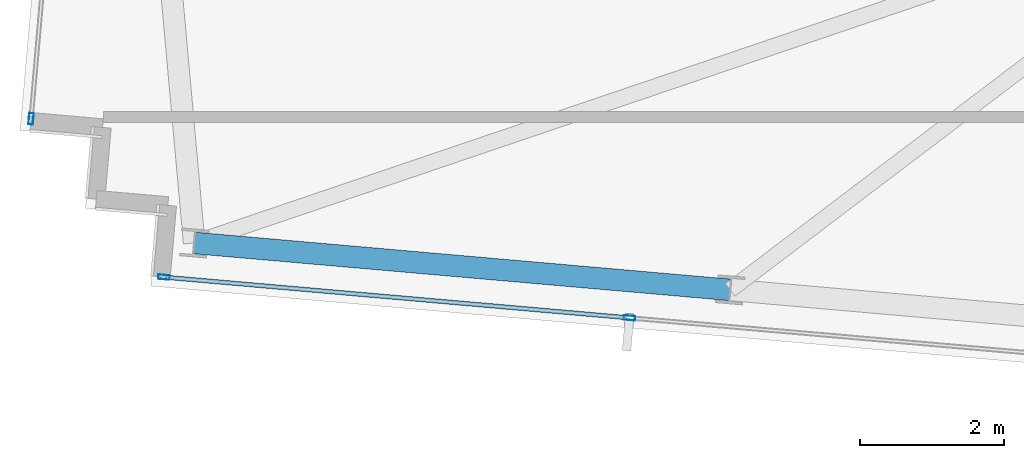
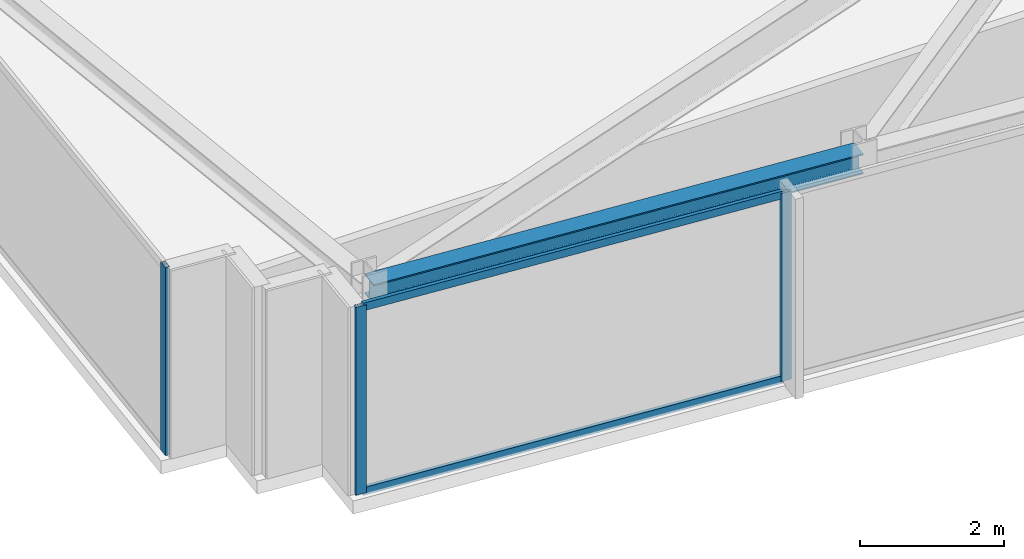
# One storey, part 2 of 32: 5 members, 1 beam, 2 elements without a shape of their own.
"""IFC4 building model written with IfcOpenShell, lengths in metres."""

from ifc_helpers import new_model, si_unit, direction, frame, origin, origin_2d, place, context, subcontext, project, spatial, hollow_rectangle, i_section, extrude, material, material_profile, profile_set, type_object, element, aggregate, save


model = new_model("IFC4")

# Units and contexts
model_context = context("Model", 3, precision=1e-05, world=origin(), true_north=direction((0.0, 1.0)))
body_context = subcontext(model_context, "Body", "Model", "MODEL_VIEW")
ifc_project = project(units=[si_unit("LENGTHUNIT", "METRE"), si_unit("AREAUNIT", "SQUARE_METRE"), si_unit("VOLUMEUNIT", "CUBIC_METRE"), si_unit("PLANEANGLEUNIT", "RADIAN"), si_unit("MASSUNIT", "GRAM", prefix="KILO")], contexts=[model_context])

# Site, building, storey
site_placement = place(None, origin())
site = spatial("IfcSite", under=ifc_project, at=site_placement, CompositionType="ELEMENT")
building_placement = place(site_placement, origin())
building = spatial("IfcBuilding", under=site, at=building_placement, Name="Yelkora Congress Tower", CompositionType="ELEMENT")
storey_placement = place(building_placement, frame((0.0, 0.0, 276.10009765625)))
storey = spatial("IfcBuildingStorey", under=building, at=storey_placement, Name="L77", CompositionType="ELEMENT", Elevation=276.10009765625)

# Beam
ifc_material_1 = material(Name="Steel S355J2", Category="steel")
ifc_material_profile_1 = material_profile(ifc_material_1, i_section(OverallWidth=0.300048828125, OverallDepth=0.340087890625, WebThickness=0.011962890625, FlangeThickness=0.021484375, FilletRadius=0.027099609375, at=origin_2d()), Name="HEB 340")
ifc_profile_set_1 = profile_set([ifc_material_profile_1], Name="Steel S355J2")
beam_type = type_object("IfcBeamType", Name="BM-SPAN-HEB340", PredefinedType="SPANDREL", material=ifc_profile_set_1)
beam_placement = place(storey_placement, frame((7.998046875, 20.097900390625, 3.010009765625), z_axis=(0.996193186297, -0.08717302092, 0.0), x_axis=(0.08717302092, 0.996193186297, 0.0)))
element("IfcBeam", 1, at=beam_placement, inside=storey, type_object=beam_type, Name="L77 Perimeter Beam 1", PredefinedType="SPANDREL", context=body_context, shape_type="SweptSolid", body=[
    extrude(i_section(OverallWidth=0.300048828125, OverallDepth=0.340087890625, WebThickness=0.011962890625, FlangeThickness=0.021484375, FilletRadius=0.027099609375, at=origin_2d()), origin(), (0.0, 0.0, 1.0), 7.4833984375),
])

# Curtain wall, member
ifc_material_2 = material(Name="Anodised aluminium and insulated glass", Category="aluminium")
curtain_wall_type = type_object("IfcCurtainWallType", Name="CW-SYS-B5", PredefinedType="NOTDEFINED", material=ifc_material_2)
curtain_wall_1_placement = place(storey_placement, origin())
curtain_wall_1 = element("IfcCurtainWall", 2, at=curtain_wall_1_placement, inside=storey, type_object=curtain_wall_type, Name="L77 Unitised Curtain Wall 5", PredefinedType="NOTDEFINED")
ifc_material_3 = material(Name="Anodised aluminium 6063-T6", Category="aluminium")
ifc_material_profile_2 = material_profile(ifc_material_3, hollow_rectangle(XDim=0.06494140625, YDim=0.159912109375, WallThickness=0.00390625, at=origin_2d()), Name="ALU 65x160x4")
ifc_profile_set_2 = profile_set([ifc_material_profile_2], Name="Anodised aluminium 6063-T6")
member_type_1 = type_object("IfcMemberType", Name="MEM-ML-B5", PredefinedType="MULLION", material=ifc_profile_set_2)
member_1_placement = place(storey_placement, frame((5.72998046875, 21.824462890625, 0.0), z_axis=(0.0, 0.0, 1.0), x_axis=(-0.996194785929, 0.08715473876, 0.0)))
member_1 = element("IfcMember", 3, at=member_1_placement, type_object=member_type_1, Name="CW-B5 mullion 1", PredefinedType="MULLION", context=body_context, shape_type="SweptSolid", body=[
    extrude(hollow_rectangle(XDim=0.06494140625, YDim=0.159912109375, WallThickness=0.00390625, at=origin_2d()), origin(), (0.0, 0.0, 1.0), 3.179931640625),
])
aggregate(curtain_wall_1, [member_1])

# Curtain wall, members
curtain_wall_2_placement = place(storey_placement, origin())
curtain_wall_2 = element("IfcCurtainWall", 4, at=curtain_wall_2_placement, inside=storey, type_object=curtain_wall_type, Name="L77 Unitised Curtain Wall 20", PredefinedType="NOTDEFINED")
member_2_placement = place(storey_placement, frame((14.0517578125, 19.05615234375, 0.0), z_axis=(0.0, 0.0, 1.0), x_axis=(-0.087156829793, -0.996194602987, 0.0)))
member_2 = element("IfcMember", 5, at=member_2_placement, type_object=member_type_1, Name="CW-B5 mullion 7", PredefinedType="MULLION", context=body_context, shape_type="SweptSolid", body=[
    extrude(hollow_rectangle(XDim=0.06494140625, YDim=0.159912109375, WallThickness=0.00390625, at=origin_2d()), origin(), (0.0, 0.0, 1.0), 3.179931640625),
])
member_3_placement = place(storey_placement, frame((7.57763671875, 19.62255859375, 0.0), z_axis=(0.0, 0.0, 1.0), x_axis=(-0.087156829793, -0.996194602987, 0.0)))
member_3 = element("IfcMember", 6, at=member_3_placement, type_object=member_type_1, Name="CW-B5 mullion 8", PredefinedType="MULLION", context=body_context, shape_type="SweptSolid", body=[
    extrude(hollow_rectangle(XDim=0.06494140625, YDim=0.159912109375, WallThickness=0.00390625, at=origin_2d()), origin(), (0.0, 0.0, 1.0), 3.179931640625),
])
ifc_material_profile_3 = material_profile(ifc_material_3, hollow_rectangle(XDim=0.06005859375, YDim=0.1298828125, WallThickness=0.00390625, at=origin_2d()), Name="ALU 60x130x4")
ifc_profile_set_3 = profile_set([ifc_material_profile_3], Name="Anodised aluminium 6063-T6")
member_type_2 = type_object("IfcMemberType", Name="MEM-TR-B5", PredefinedType="USERDEFINED", material=ifc_profile_set_3)
member_4_placement = place(storey_placement, frame((14.019287109375, 19.05908203125, 0.02978515625), z_axis=(-0.996194170551, 0.08716177236, 0.0), x_axis=(-0.08716177236, -0.996194170551, 0.0)))
member_4 = element("IfcMember", 7, at=member_4_placement, type_object=member_type_2, Name="CW-B5 transom 7.1", ObjectType="TRANSOM", PredefinedType="USERDEFINED", context=body_context, shape_type="SweptSolid", body=[
    extrude(hollow_rectangle(XDim=0.06005859375, YDim=0.1298828125, WallThickness=0.00390625, at=origin_2d()), origin(), (0.0, 0.0, 1.0), 6.433837890625),
])
member_5_placement = place(storey_placement, frame((14.019287109375, 19.05908203125, 3.14990234375), z_axis=(-0.996194170551, 0.08716177236, 0.0), x_axis=(-0.08716177236, -0.996194170551, 0.0)))
member_5 = element("IfcMember", 8, at=member_5_placement, type_object=member_type_2, Name="CW-B5 transom 7.2", ObjectType="TRANSOM", PredefinedType="USERDEFINED", context=body_context, shape_type="SweptSolid", body=[
    extrude(hollow_rectangle(XDim=0.06005859375, YDim=0.1298828125, WallThickness=0.00390625, at=origin_2d()), origin(), (0.0, 0.0, 1.0), 6.433837890625),
])
aggregate(curtain_wall_2, [member_2, member_3, member_4, member_5])

save(model, "model.ifc")
